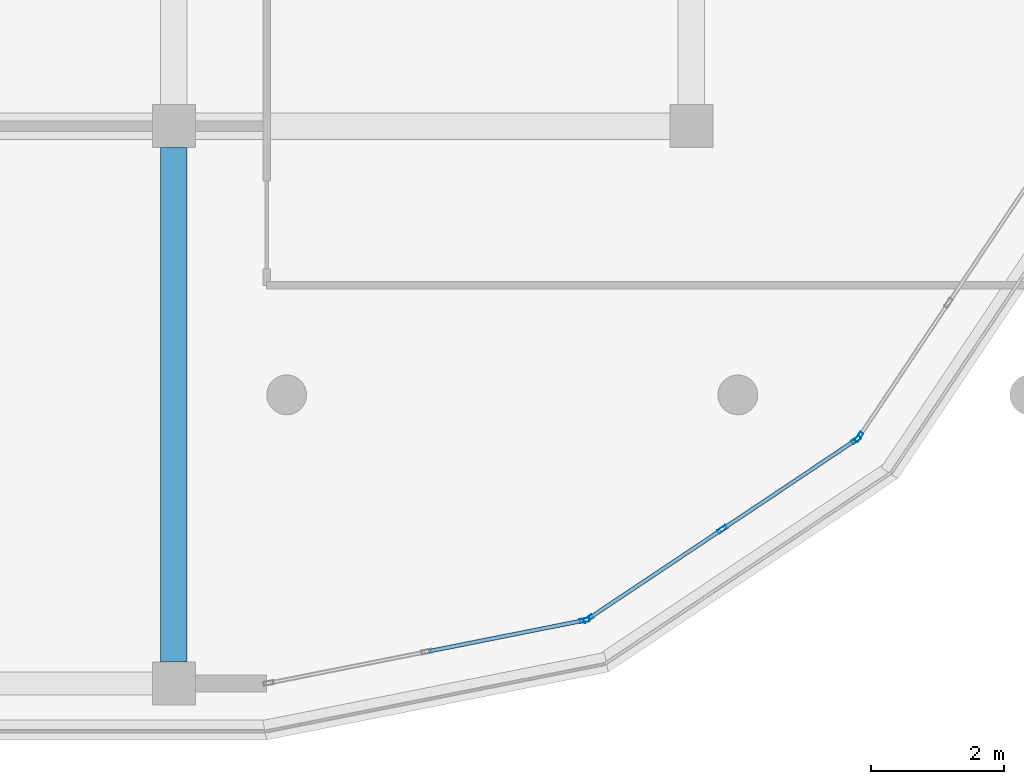
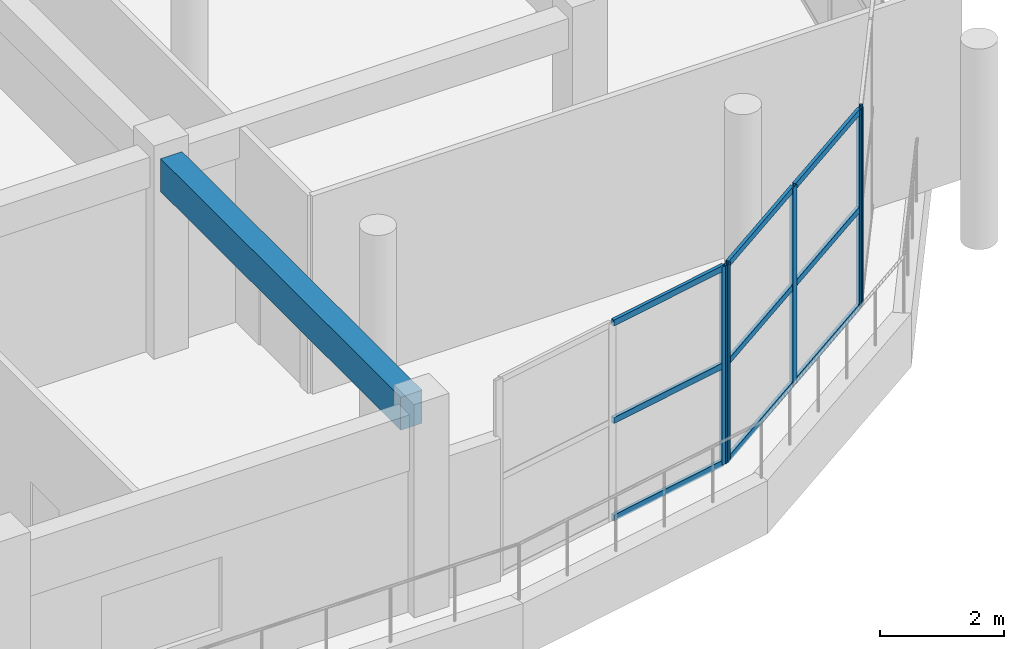
# One storey, part 29 of 57: 14 members, 1 beam, 3 elements without a shape of their own.
"""IFC4 building model written with IfcOpenShell, lengths in metres."""

from ifc_helpers import new_model, si_unit, direction, frame, origin, origin_2d, place, context, subcontext, project, spatial, rectangle, hollow_rectangle, extrude, material, layer, layer_set, material_profile, profile_set, type_object, element, aggregate, save


model = new_model("IFC4")

# Units and contexts
model_context = context("Model", 3, precision=1e-05, world=origin(), true_north=direction((0.0, 1.0)))
body_context = subcontext(model_context, "Body", "Model", "MODEL_VIEW")
ifc_project = project(units=[si_unit("LENGTHUNIT", "METRE"), si_unit("AREAUNIT", "SQUARE_METRE"), si_unit("VOLUMEUNIT", "CUBIC_METRE"), si_unit("PLANEANGLEUNIT", "RADIAN"), si_unit("MASSUNIT", "GRAM", prefix="KILO")], contexts=[model_context])

# Site, building, storey
site_placement = place(None, origin())
site = spatial("IfcSite", under=ifc_project, at=site_placement, CompositionType="ELEMENT")
building_placement = place(site_placement, origin())
building = spatial("IfcBuilding", under=site, at=building_placement, Name="Zizhar Promenade General Hospital", CompositionType="ELEMENT")
storey_placement = place(building_placement, frame((0.0, 0.0, 22.199951171875)))
storey = spatial("IfcBuildingStorey", under=building, at=storey_placement, Name="L05", CompositionType="ELEMENT", Elevation=22.199951171875)

# Beam
ifc_material_1 = material(Name="Concrete C35/45", Category="concrete")
ifc_material_profile_1 = material_profile(ifc_material_1, rectangle(XDim=0.39990234375, YDim=0.64990234375, at=origin_2d()))
ifc_profile_set_1 = profile_set([ifc_material_profile_1], Name="Concrete C35/45")
beam_type = type_object("IfcBeamType", Name="BM-RC-400x650", PredefinedType="BEAM", material=ifc_profile_set_1)
beam_placement = place(storey_placement, frame((117.0, 0.324951171875, 3.5849609375), z_axis=(0.0, 1.0, 0.0), x_axis=(-1.0, 0.0, 0.0)))
element("IfcBeam", 1, at=beam_placement, inside=storey, type_object=beam_type, Name="Grid Beam Y L05 (15-0)", PredefinedType="BEAM", context=body_context, shape_type="SweptSolid", body=[
    extrude(rectangle(XDim=0.39990234375, YDim=0.64990234375, at=origin_2d()), origin(), (0.0, 0.0, 1.0), 7.75),
])

# Curtain wall, member
ifc_material_2 = material(Name="Anodised aluminium 6063-T6 and low-E glass", Category="aluminium")
ifc_layer = layer(ifc_material_2, 0.159912109375)
ifc_layer_set = layer_set([ifc_layer], Name="Anodised aluminium 6063-T6 and low-E glass")
curtain_wall_type = type_object("IfcCurtainWallType", Name="CW-WARD-ARC", PredefinedType="NOTDEFINED", material=ifc_layer_set)
curtain_wall_1_placement = place(storey_placement, origin())
curtain_wall_1 = element("IfcCurtainWall", 2, at=curtain_wall_1_placement, inside=storey, type_object=curtain_wall_type, Name="Ward Semicircular End Glazing L05-01", PredefinedType="NOTDEFINED")
ifc_material_3 = material(Name="Anodised aluminium 6063-T6", Category="aluminium")
ifc_material_profile_2 = material_profile(ifc_material_3, hollow_rectangle(XDim=0.06005859375, YDim=0.14990234375, WallThickness=0.00390625, at=origin_2d()))
ifc_profile_set_2 = profile_set([ifc_material_profile_2], Name="Anodised aluminium 6063-T6")
member_type_1 = type_object("IfcMemberType", Name="CWM-ALU-150x60", PredefinedType="MULLION", material=ifc_profile_set_2)
member_1_placement = place(storey_placement, frame((123.1923828125, 0.953369140625, 0.0), z_axis=(0.0, 0.0, 1.0), x_axis=(0.195087259275, -0.980785889615, 0.0)))
member_1 = element("IfcMember", 3, at=member_1_placement, type_object=member_type_1, Name="CW-12 mullion 1", PredefinedType="MULLION", context=body_context, shape_type="SweptSolid", body=[
    extrude(hollow_rectangle(XDim=0.06005859375, YDim=0.14990234375, WallThickness=0.00390625, at=origin_2d()), origin(), (0.0, 0.0, 1.0), 3.900146484375),
])

# Curtain wall, members
curtain_wall_2_placement = place(storey_placement, origin())
curtain_wall_2 = element("IfcCurtainWall", 4, at=curtain_wall_2_placement, inside=storey, type_object=curtain_wall_type, Name="Ward Semicircular End Glazing L05-02", PredefinedType="NOTDEFINED")
member_2_placement = place(storey_placement, frame((127.28466796875, 3.673828125, 0.0), z_axis=(0.0, 0.0, 1.0), x_axis=(0.555582352095, -0.831461514468, 0.0)))
member_2 = element("IfcMember", 5, at=member_2_placement, type_object=member_type_1, Name="CW-12 mullion 1", PredefinedType="MULLION", context=body_context, shape_type="SweptSolid", body=[
    extrude(hollow_rectangle(XDim=0.06005859375, YDim=0.14990234375, WallThickness=0.00390625, at=origin_2d()), origin(), (0.0, 0.0, 1.0), 3.900146484375),
])
member_3_placement = place(storey_placement, frame((125.265625, 2.32470703125, 0.0), z_axis=(0.0, 0.0, 1.0), x_axis=(0.555582352095, -0.831461514468, 0.0)))
member_3 = element("IfcMember", 6, at=member_3_placement, type_object=member_type_1, Name="CW-12 mullion 2", PredefinedType="MULLION", context=body_context, shape_type="SweptSolid", body=[
    extrude(hollow_rectangle(XDim=0.06005859375, YDim=0.14990234375, WallThickness=0.00390625, at=origin_2d()), origin(), (0.0, 0.0, 1.0), 3.900146484375),
])
member_4_placement = place(storey_placement, frame((123.246826171875, 0.975830078125, 0.0), z_axis=(0.0, 0.0, 1.0), x_axis=(0.555582352095, -0.831461514468, 0.0)))
member_4 = element("IfcMember", 7, at=member_4_placement, type_object=member_type_1, Name="CW-12 mullion 3", PredefinedType="MULLION", context=body_context, shape_type="SweptSolid", body=[
    extrude(hollow_rectangle(XDim=0.06005859375, YDim=0.14990234375, WallThickness=0.00390625, at=origin_2d()), origin(), (0.0, 0.0, 1.0), 3.900146484375),
])

# Curtain wall, member
curtain_wall_3_placement = place(storey_placement, origin())
curtain_wall_3 = element("IfcCurtainWall", 8, at=curtain_wall_3_placement, inside=storey, type_object=curtain_wall_type, Name="Ward Semicircular End Glazing L05-03", PredefinedType="NOTDEFINED")
member_5_placement = place(storey_placement, frame((127.326171875, 3.71533203125, 0.0), z_axis=(0.0, 0.0, 1.0), x_axis=(0.831461514468, -0.555582352095, 0.0)))
member_5 = element("IfcMember", 9, at=member_5_placement, type_object=member_type_1, Name="CW-12 mullion 3", PredefinedType="MULLION", context=body_context, shape_type="SweptSolid", body=[
    extrude(hollow_rectangle(XDim=0.06005859375, YDim=0.14990234375, WallThickness=0.00390625, at=origin_2d()), origin(), (0.0, 0.0, 1.0), 3.900146484375),
])
aggregate(curtain_wall_3, [member_5])

# Member
ifc_material_4 = material(Name="Anodised aluminium 6063-T6", Category="aluminium")
ifc_material_profile_3 = material_profile(ifc_material_4, hollow_rectangle(XDim=0.06005859375, YDim=0.1201171875, WallThickness=0.00390625, at=origin_2d()))
ifc_profile_set_3 = profile_set([ifc_material_profile_3], Name="Anodised aluminium 6063-T6")
member_type_2 = type_object("IfcMemberType", Name="CWT-ALU-120x60", PredefinedType="USERDEFINED", material=ifc_profile_set_3)
member_6_placement = place(storey_placement, frame((123.162841796875, 0.947509765625, 0.030029296875), z_axis=(-0.98077054851, -0.195164369634, 0.0), x_axis=(0.195164369634, -0.98077054851, 0.0)))
member_6 = element("IfcMember", 10, at=member_6_placement, type_object=member_type_2, Name="CW-12 transom 1.1", ObjectType="TRANSOM", PredefinedType="USERDEFINED", context=body_context, shape_type="SweptSolid", body=[
    extrude(hollow_rectangle(XDim=0.06005859375, YDim=0.1201171875, WallThickness=0.00390625, at=origin_2d()), origin(), (0.0, 0.0, 1.0), 2.3681640625),
])

member_7_placement = place(storey_placement, frame((123.162841796875, 0.947509765625, 1.949951171875), z_axis=(-0.98077054851, -0.195164369634, 0.0), x_axis=(0.195164369634, -0.98077054851, 0.0)))
member_7 = element("IfcMember", 11, at=member_7_placement, type_object=member_type_2, Name="CW-12 transom 1.2", ObjectType="TRANSOM", PredefinedType="USERDEFINED", context=body_context, shape_type="SweptSolid", body=[
    extrude(hollow_rectangle(XDim=0.06005859375, YDim=0.1201171875, WallThickness=0.00390625, at=origin_2d()), origin(), (0.0, 0.0, 1.0), 2.3681640625),
])

member_8_placement = place(storey_placement, frame((123.162841796875, 0.947509765625, 3.8701171875), z_axis=(-0.98077054851, -0.195164369634, 0.0), x_axis=(0.195164369634, -0.98077054851, 0.0)))
member_8 = element("IfcMember", 12, at=member_8_placement, type_object=member_type_2, Name="CW-12 transom 1.3", ObjectType="TRANSOM", PredefinedType="USERDEFINED", context=body_context, shape_type="SweptSolid", body=[
    extrude(hollow_rectangle(XDim=0.06005859375, YDim=0.1201171875, WallThickness=0.00390625, at=origin_2d()), origin(), (0.0, 0.0, 1.0), 2.3681640625),
])

aggregate(curtain_wall_1, [member_1, member_6, member_7, member_8])

member_9_placement = place(storey_placement, frame((127.259521484375, 3.6572265625, 0.030029296875), z_axis=(-0.831462978956, -0.555580160396, 0.0), x_axis=(0.555580160396, -0.831462978956, 0.0)))
member_9 = element("IfcMember", 13, at=member_9_placement, type_object=member_type_2, Name="CW-12 transom 1.1", ObjectType="TRANSOM", PredefinedType="USERDEFINED", context=body_context, shape_type="SweptSolid", body=[
    extrude(hollow_rectangle(XDim=0.06005859375, YDim=0.1201171875, WallThickness=0.00390625, at=origin_2d()), origin(), (0.0, 0.0, 1.0), 2.3681640625),
])

member_10_placement = place(storey_placement, frame((127.259521484375, 3.6572265625, 1.949951171875), z_axis=(-0.831462978956, -0.555580160396, 0.0), x_axis=(0.555580160396, -0.831462978956, 0.0)))
member_10 = element("IfcMember", 14, at=member_10_placement, type_object=member_type_2, Name="CW-12 transom 1.2", ObjectType="TRANSOM", PredefinedType="USERDEFINED", context=body_context, shape_type="SweptSolid", body=[
    extrude(hollow_rectangle(XDim=0.06005859375, YDim=0.1201171875, WallThickness=0.00390625, at=origin_2d()), origin(), (0.0, 0.0, 1.0), 2.3681640625),
])

member_11_placement = place(storey_placement, frame((127.259521484375, 3.6572265625, 3.8701171875), z_axis=(-0.831462978956, -0.555580160396, 0.0), x_axis=(0.555580160396, -0.831462978956, 0.0)))
member_11 = element("IfcMember", 15, at=member_11_placement, type_object=member_type_2, Name="CW-12 transom 1.3", ObjectType="TRANSOM", PredefinedType="USERDEFINED", context=body_context, shape_type="SweptSolid", body=[
    extrude(hollow_rectangle(XDim=0.06005859375, YDim=0.1201171875, WallThickness=0.00390625, at=origin_2d()), origin(), (0.0, 0.0, 1.0), 2.3681640625),
])

member_12_placement = place(storey_placement, frame((125.24072265625, 2.30810546875, 0.030029296875), z_axis=(-0.831462978956, -0.555580160396, 0.0), x_axis=(0.555580160396, -0.831462978956, 0.0)))
member_12 = element("IfcMember", 16, at=member_12_placement, type_object=member_type_2, Name="CW-12 transom 2.1", ObjectType="TRANSOM", PredefinedType="USERDEFINED", context=body_context, shape_type="SweptSolid", body=[
    extrude(hollow_rectangle(XDim=0.06005859375, YDim=0.1201171875, WallThickness=0.00390625, at=origin_2d()), origin(), (0.0, 0.0, 1.0), 2.3681640625),
])

member_13_placement = place(storey_placement, frame((125.24072265625, 2.30810546875, 1.949951171875), z_axis=(-0.831462978956, -0.555580160396, 0.0), x_axis=(0.555580160396, -0.831462978956, 0.0)))
member_13 = element("IfcMember", 17, at=member_13_placement, type_object=member_type_2, Name="CW-12 transom 2.2", ObjectType="TRANSOM", PredefinedType="USERDEFINED", context=body_context, shape_type="SweptSolid", body=[
    extrude(hollow_rectangle(XDim=0.06005859375, YDim=0.1201171875, WallThickness=0.00390625, at=origin_2d()), origin(), (0.0, 0.0, 1.0), 2.3681640625),
])

member_14_placement = place(storey_placement, frame((125.24072265625, 2.30810546875, 3.8701171875), z_axis=(-0.831462978956, -0.555580160396, 0.0), x_axis=(0.555580160396, -0.831462978956, 0.0)))
member_14 = element("IfcMember", 18, at=member_14_placement, type_object=member_type_2, Name="CW-12 transom 2.3", ObjectType="TRANSOM", PredefinedType="USERDEFINED", context=body_context, shape_type="SweptSolid", body=[
    extrude(hollow_rectangle(XDim=0.06005859375, YDim=0.1201171875, WallThickness=0.00390625, at=origin_2d()), origin(), (0.0, 0.0, 1.0), 2.3681640625),
])

aggregate(curtain_wall_2, [member_2, member_3, member_4, member_9, member_10, member_11, member_12, member_13, member_14])

save(model, "model.ifc")
